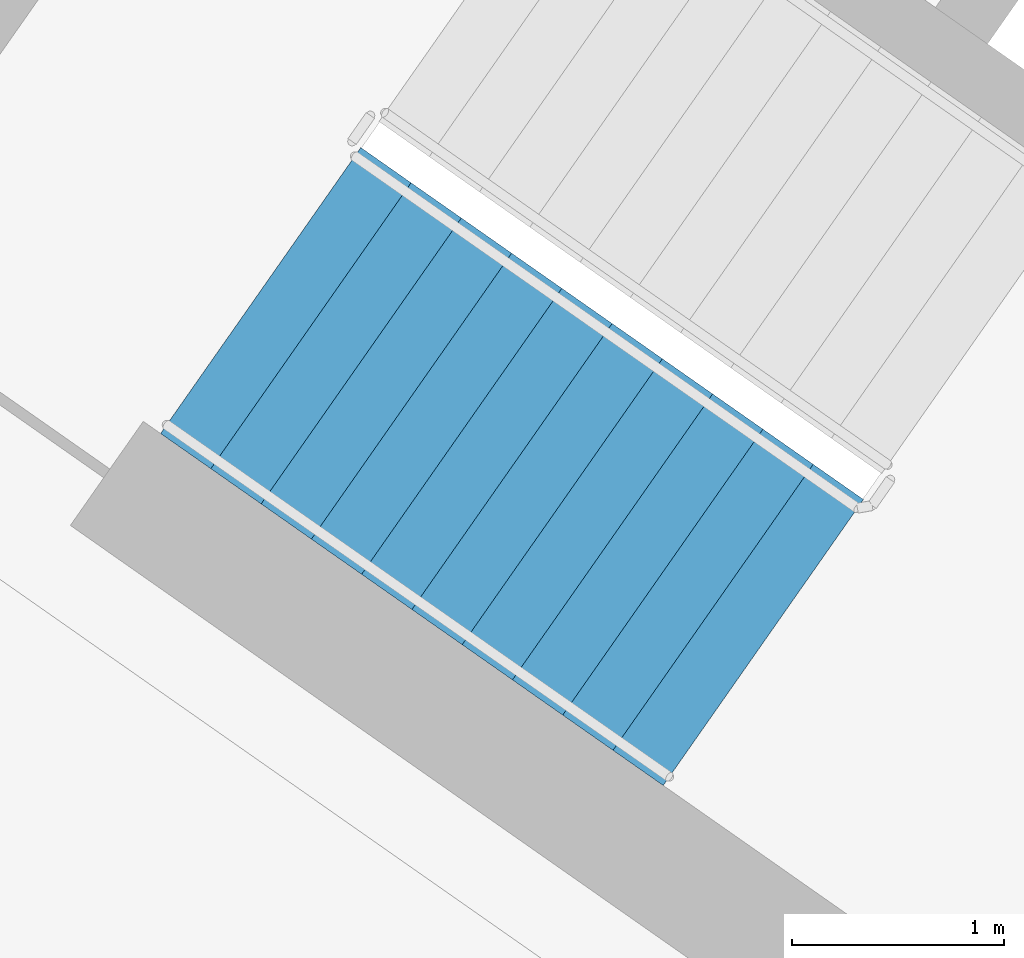
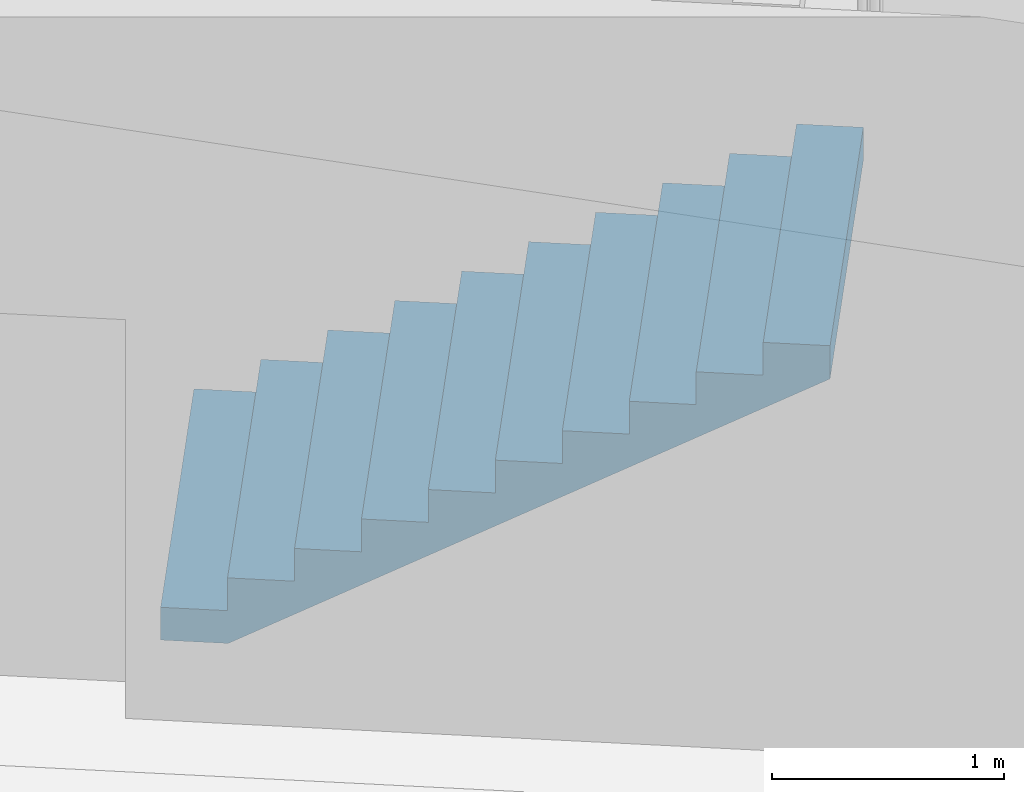
# One storey, part 8 of 30: 1 stair flight, 1 element without a shape of its own.
"""IFC4 building model written with IfcOpenShell, lengths in metres."""

from ifc_helpers import new_model, si_unit, direction, frame, origin, place, context, subcontext, project, spatial, faceted_brep, material, type_object, element, aggregate, save


model = new_model("IFC4")

# Units and contexts
model_context = context("Model", 3, precision=1e-05, world=origin(), true_north=direction((0.0, 1.0)))
body_context = subcontext(model_context, "Body", "Model", "MODEL_VIEW")
ifc_project = project(units=[si_unit("LENGTHUNIT", "METRE"), si_unit("AREAUNIT", "SQUARE_METRE"), si_unit("VOLUMEUNIT", "CUBIC_METRE"), si_unit("PLANEANGLEUNIT", "RADIAN"), si_unit("MASSUNIT", "GRAM", prefix="KILO")], contexts=[model_context])

# Site, building, storey
site_placement = place(None, origin())
site = spatial("IfcSite", under=ifc_project, at=site_placement, CompositionType="ELEMENT")
building_placement = place(site_placement, origin())
building = spatial("IfcBuilding", under=site, at=building_placement, Name="Qamariyya Broadcast Tower", CompositionType="ELEMENT")
storey_placement = place(building_placement, frame((0.0, 0.0, 203.699951171875)))
storey = spatial("IfcBuildingStorey", under=building, at=storey_placement, Name="L48", CompositionType="ELEMENT", Elevation=203.699951171875)

# Stair, stair flight
ifc_material = material(Name="Concrete C50/60", Category="concrete")
stair_type = type_object("IfcStairType", Name="Exit stair 22 risers of 173 mm", PredefinedType="HALF_TURN_STAIR", material=ifc_material)
stair_placement = place(storey_placement, origin())
stair = element("IfcStair", 1, at=stair_placement, inside=storey, type_object=stair_type, Name="L48 Stair W1", PredefinedType="HALF_TURN_STAIR")
stair_flight_type = type_object("IfcStairFlightType", Name="Exit stair flight 11 risers of 173 mm", PredefinedType="STRAIGHT", material=ifc_material)
stair_flight_placement = place(storey_placement, frame((-47.06884765625, -56.982666015625, 0.0), z_axis=(0.0, 0.0, 1.0), x_axis=(0.819152044289, -0.573576436351, 0.0)))
stair_flight = element("IfcStairFlight", 2, at=stair_flight_placement, type_object=stair_flight_type, Name="ST-W1 flight 1", NumberOfRisers=11, NumberOfTreads=10, PredefinedType="STRAIGHT", RiserHeight=0.172727273, TreadLength=0.29, context=body_context, shape_type="Brep", body=[
    faceted_brep([(0.0, 0.824951171875, 0.0), (0.0, 0.824951171875, 0.172607421875), (0.2900390625, 0.824951171875, 0.172607421875), (0.2900390625, 0.824951171875, 0.345458984375), (0.580078125, 0.824951171875, 0.345458984375), (0.580078125, 0.824951171875, 0.51806640625), (0.8701171875, 0.824951171875, 0.51806640625), (0.8701171875, 0.824951171875, 0.69091796875), (1.159912109375, 0.824951171875, 0.69091796875), (1.159912109375, 0.824951171875, 0.863525390625), (1.449951171875, 0.824951171875, 0.863525390625), (1.449951171875, 0.824951171875, 1.036376953125), (1.739990234375, 0.824951171875, 1.036376953125), (1.739990234375, 0.824951171875, 1.208984375), (2.030029296875, 0.824951171875, 1.208984375), (2.030029296875, 0.824951171875, 1.3818359375), (2.320068359375, 0.824951171875, 1.3818359375), (2.320068359375, 0.824951171875, 1.554443359375), (2.610107421875, 0.824951171875, 1.554443359375), (2.610107421875, 0.824951171875, 1.727294921875), (2.89990234375, 0.824951171875, 1.727294921875), (2.89990234375, 0.824951171875, 1.552734375), (0.29296875, 0.824951171875, 0.0), (0.29296875, -0.824951171875, 0.0), (2.89990234375, -0.824951171875, 1.552734375), (2.89990234375, -0.824951171875, 1.727294921875), (2.610107421875, -0.824951171875, 1.727294921875), (2.610107421875, -0.824951171875, 1.554443359375), (2.320068359375, -0.824951171875, 1.554443359375), (2.320068359375, -0.824951171875, 1.3818359375), (2.030029296875, -0.824951171875, 1.3818359375), (2.030029296875, -0.824951171875, 1.208984375), (1.739990234375, -0.824951171875, 1.208984375), (1.739990234375, -0.824951171875, 1.036376953125), (1.449951171875, -0.824951171875, 1.036376953125), (1.449951171875, -0.824951171875, 0.863525390625), (1.159912109375, -0.824951171875, 0.863525390625), (1.159912109375, -0.824951171875, 0.69091796875), (0.8701171875, -0.824951171875, 0.69091796875), (0.8701171875, -0.824951171875, 0.51806640625), (0.580078125, -0.824951171875, 0.51806640625), (0.580078125, -0.824951171875, 0.345458984375), (0.2900390625, -0.824951171875, 0.345458984375), (0.2900390625, -0.824951171875, 0.172607421875), (0.0, -0.824951171875, 0.172607421875), (0.0, -0.824951171875, 0.0), (0.0, 0.10009765625, 0.0), (0.0, 0.086669921875, 0.0), (0.0, 0.0732421875, 0.0), (0.0, 0.06005859375, 0.0), (0.0, 0.046630859375, 0.0), (0.0, 0.033447265625, 0.0), (0.0, 0.02001953125, 0.0), (0.0, 0.006591796875, 0.0), (0.0, -0.006591796875, 0.0), (0.0, -0.02001953125, 0.0), (0.0, -0.033447265625, 0.0), (0.0, -0.046630859375, 0.0), (0.0, -0.06005859375, 0.0), (0.0, -0.0732421875, 0.0), (0.0, -0.086669921875, 0.0), (0.0, -0.10009765625, 0.0), (0.0, -0.10009765625, 0.172607421875), (0.0, -0.086669921875, 0.172607421875), (0.0, -0.0732421875, 0.172607421875), (0.0, -0.06005859375, 0.172607421875), (0.0, -0.046630859375, 0.172607421875), (0.0, -0.033447265625, 0.172607421875), (0.0, -0.02001953125, 0.172607421875), (0.0, -0.006591796875, 0.172607421875), (0.0, 0.006591796875, 0.172607421875), (0.0, 0.02001953125, 0.172607421875), (0.0, 0.033447265625, 0.172607421875), (0.0, 0.046630859375, 0.172607421875), (0.0, 0.06005859375, 0.172607421875), (0.0, 0.0732421875, 0.172607421875), (0.0, 0.086669921875, 0.172607421875), (0.0, 0.10009765625, 0.172607421875), (0.2900390625, -0.10009765625, 0.172607421875), (0.2900390625, -0.086669921875, 0.172607421875), (0.2900390625, -0.0732421875, 0.172607421875), (0.2900390625, -0.06005859375, 0.172607421875), (0.2900390625, -0.046630859375, 0.172607421875), (0.2900390625, -0.033447265625, 0.172607421875), (0.2900390625, -0.02001953125, 0.172607421875), (0.2900390625, -0.006591796875, 0.172607421875), (0.2900390625, 0.006591796875, 0.172607421875), (0.2900390625, 0.02001953125, 0.172607421875), (0.2900390625, 0.033447265625, 0.172607421875), (0.2900390625, 0.046630859375, 0.172607421875), (0.2900390625, 0.06005859375, 0.172607421875), (0.2900390625, 0.0732421875, 0.172607421875), (0.2900390625, 0.086669921875, 0.172607421875), (0.2900390625, 0.10009765625, 0.172607421875), (0.2900390625, -0.10009765625, 0.345458984375), (0.2900390625, -0.086669921875, 0.345458984375), (0.2900390625, -0.0732421875, 0.345458984375), (0.2900390625, -0.06005859375, 0.345458984375), (0.2900390625, -0.046630859375, 0.345458984375), (0.2900390625, -0.033447265625, 0.345458984375), (0.2900390625, -0.02001953125, 0.345458984375), (0.2900390625, -0.006591796875, 0.345458984375), (0.2900390625, 0.006591796875, 0.345458984375), (0.2900390625, 0.02001953125, 0.345458984375), (0.2900390625, 0.033447265625, 0.345458984375), (0.2900390625, 0.046630859375, 0.345458984375), (0.2900390625, 0.06005859375, 0.345458984375), (0.2900390625, 0.0732421875, 0.345458984375), (0.2900390625, 0.086669921875, 0.345458984375), (0.2900390625, 0.10009765625, 0.345458984375), (0.580078125, -0.10009765625, 0.345458984375), (0.580078125, -0.086669921875, 0.345458984375), (0.580078125, -0.0732421875, 0.345458984375), (0.580078125, -0.06005859375, 0.345458984375), (0.580078125, -0.046630859375, 0.345458984375), (0.580078125, -0.033447265625, 0.345458984375), (0.580078125, -0.02001953125, 0.345458984375), (0.580078125, -0.006591796875, 0.345458984375), (0.580078125, 0.006591796875, 0.345458984375), (0.580078125, 0.02001953125, 0.345458984375), (0.580078125, 0.033447265625, 0.345458984375), (0.580078125, 0.046630859375, 0.345458984375), (0.580078125, 0.06005859375, 0.345458984375), (0.580078125, 0.0732421875, 0.345458984375), (0.580078125, 0.086669921875, 0.345458984375), (0.580078125, 0.10009765625, 0.345458984375), (0.580078125, -0.10009765625, 0.51806640625), (0.580078125, -0.086669921875, 0.51806640625), (0.580078125, -0.0732421875, 0.51806640625), (0.580078125, -0.06005859375, 0.51806640625), (0.580078125, -0.046630859375, 0.51806640625), (0.580078125, -0.033447265625, 0.51806640625), (0.580078125, -0.02001953125, 0.51806640625), (0.580078125, -0.006591796875, 0.51806640625), (0.580078125, 0.006591796875, 0.51806640625), (0.580078125, 0.02001953125, 0.51806640625), (0.580078125, 0.033447265625, 0.51806640625), (0.580078125, 0.046630859375, 0.51806640625), (0.580078125, 0.06005859375, 0.51806640625), (0.580078125, 0.0732421875, 0.51806640625), (0.580078125, 0.086669921875, 0.51806640625), (0.580078125, 0.10009765625, 0.51806640625), (0.8701171875, -0.10009765625, 0.51806640625), (0.8701171875, -0.086669921875, 0.51806640625), (0.8701171875, -0.0732421875, 0.51806640625), (0.8701171875, -0.06005859375, 0.51806640625), (0.8701171875, -0.046630859375, 0.51806640625), (0.8701171875, -0.033447265625, 0.51806640625), (0.8701171875, -0.02001953125, 0.51806640625), (0.8701171875, -0.006591796875, 0.51806640625), (0.8701171875, 0.006591796875, 0.51806640625), (0.8701171875, 0.02001953125, 0.51806640625), (0.8701171875, 0.033447265625, 0.51806640625), (0.8701171875, 0.046630859375, 0.51806640625), (0.8701171875, 0.06005859375, 0.51806640625), (0.8701171875, 0.0732421875, 0.51806640625), (0.8701171875, 0.086669921875, 0.51806640625), (0.8701171875, 0.10009765625, 0.51806640625), (0.8701171875, -0.10009765625, 0.69091796875), (0.8701171875, -0.086669921875, 0.69091796875), (0.8701171875, -0.0732421875, 0.69091796875), (0.8701171875, -0.06005859375, 0.69091796875), (0.8701171875, -0.046630859375, 0.69091796875), (0.8701171875, -0.033447265625, 0.69091796875), (0.8701171875, -0.02001953125, 0.69091796875), (0.8701171875, -0.006591796875, 0.69091796875), (0.8701171875, 0.006591796875, 0.69091796875), (0.8701171875, 0.02001953125, 0.69091796875), (0.8701171875, 0.033447265625, 0.69091796875), (0.8701171875, 0.046630859375, 0.69091796875), (0.8701171875, 0.06005859375, 0.69091796875), (0.8701171875, 0.0732421875, 0.69091796875), (0.8701171875, 0.086669921875, 0.69091796875), (0.8701171875, 0.10009765625, 0.69091796875), (1.159912109375, -0.10009765625, 0.69091796875), (1.159912109375, -0.086669921875, 0.69091796875), (1.159912109375, -0.0732421875, 0.69091796875), (1.159912109375, -0.06005859375, 0.69091796875), (1.159912109375, -0.046630859375, 0.69091796875), (1.159912109375, -0.033447265625, 0.69091796875), (1.159912109375, -0.02001953125, 0.69091796875), (1.159912109375, -0.006591796875, 0.69091796875), (1.159912109375, 0.006591796875, 0.69091796875), (1.159912109375, 0.02001953125, 0.69091796875), (1.159912109375, 0.033447265625, 0.69091796875), (1.159912109375, 0.046630859375, 0.69091796875), (1.159912109375, 0.06005859375, 0.69091796875), (1.159912109375, 0.0732421875, 0.69091796875), (1.159912109375, 0.086669921875, 0.69091796875), (1.159912109375, 0.10009765625, 0.69091796875), (1.159912109375, -0.10009765625, 0.863525390625), (1.159912109375, -0.086669921875, 0.863525390625), (1.159912109375, -0.0732421875, 0.863525390625), (1.159912109375, -0.06005859375, 0.863525390625), (1.159912109375, -0.046630859375, 0.863525390625), (1.159912109375, -0.033447265625, 0.863525390625), (1.159912109375, -0.02001953125, 0.863525390625), (1.159912109375, -0.006591796875, 0.863525390625), (1.159912109375, 0.006591796875, 0.863525390625), (1.159912109375, 0.02001953125, 0.863525390625), (1.159912109375, 0.033447265625, 0.863525390625), (1.159912109375, 0.046630859375, 0.863525390625), (1.159912109375, 0.06005859375, 0.863525390625), (1.159912109375, 0.0732421875, 0.863525390625), (1.159912109375, 0.086669921875, 0.863525390625), (1.159912109375, 0.10009765625, 0.863525390625), (1.449951171875, -0.10009765625, 0.863525390625), (1.449951171875, -0.086669921875, 0.863525390625), (1.449951171875, -0.0732421875, 0.863525390625), (1.449951171875, -0.06005859375, 0.863525390625), (1.449951171875, -0.046630859375, 0.863525390625), (1.449951171875, -0.033447265625, 0.863525390625), (1.449951171875, -0.02001953125, 0.863525390625), (1.449951171875, -0.006591796875, 0.863525390625), (1.449951171875, 0.006591796875, 0.863525390625), (1.449951171875, 0.02001953125, 0.863525390625), (1.449951171875, 0.033447265625, 0.863525390625), (1.449951171875, 0.046630859375, 0.863525390625), (1.449951171875, 0.06005859375, 0.863525390625), (1.449951171875, 0.0732421875, 0.863525390625), (1.449951171875, 0.086669921875, 0.863525390625), (1.449951171875, 0.10009765625, 0.863525390625), (1.449951171875, -0.10009765625, 1.036376953125), (1.449951171875, -0.086669921875, 1.036376953125), (1.449951171875, -0.0732421875, 1.036376953125), (1.449951171875, -0.06005859375, 1.036376953125), (1.449951171875, -0.046630859375, 1.036376953125), (1.449951171875, -0.033447265625, 1.036376953125), (1.449951171875, -0.02001953125, 1.036376953125), (1.449951171875, -0.006591796875, 1.036376953125), (1.449951171875, 0.006591796875, 1.036376953125), (1.449951171875, 0.02001953125, 1.036376953125), (1.449951171875, 0.033447265625, 1.036376953125), (1.449951171875, 0.046630859375, 1.036376953125), (1.449951171875, 0.06005859375, 1.036376953125), (1.449951171875, 0.0732421875, 1.036376953125), (1.449951171875, 0.086669921875, 1.036376953125), (1.449951171875, 0.10009765625, 1.036376953125), (1.739990234375, -0.10009765625, 1.036376953125), (1.739990234375, -0.086669921875, 1.036376953125), (1.739990234375, -0.0732421875, 1.036376953125), (1.739990234375, -0.06005859375, 1.036376953125), (1.739990234375, -0.046630859375, 1.036376953125), (1.739990234375, -0.033447265625, 1.036376953125), (1.739990234375, -0.02001953125, 1.036376953125), (1.739990234375, -0.006591796875, 1.036376953125), (1.739990234375, 0.006591796875, 1.036376953125), (1.739990234375, 0.02001953125, 1.036376953125), (1.739990234375, 0.033447265625, 1.036376953125), (1.739990234375, 0.046630859375, 1.036376953125), (1.739990234375, 0.06005859375, 1.036376953125), (1.739990234375, 0.0732421875, 1.036376953125), (1.739990234375, 0.086669921875, 1.036376953125), (1.739990234375, 0.10009765625, 1.036376953125), (1.739990234375, -0.10009765625, 1.208984375), (1.739990234375, -0.086669921875, 1.208984375), (1.739990234375, -0.0732421875, 1.208984375), (1.739990234375, -0.06005859375, 1.208984375), (1.739990234375, -0.046630859375, 1.208984375), (1.739990234375, -0.033447265625, 1.208984375), (1.739990234375, -0.02001953125, 1.208984375), (1.739990234375, -0.006591796875, 1.208984375), (1.739990234375, 0.006591796875, 1.208984375), (1.739990234375, 0.02001953125, 1.208984375), (1.739990234375, 0.033447265625, 1.208984375), (1.739990234375, 0.046630859375, 1.208984375), (1.739990234375, 0.06005859375, 1.208984375), (1.739990234375, 0.0732421875, 1.208984375), (1.739990234375, 0.086669921875, 1.208984375), (1.739990234375, 0.10009765625, 1.208984375), (2.030029296875, -0.10009765625, 1.208984375), (2.030029296875, -0.086669921875, 1.208984375), (2.030029296875, -0.0732421875, 1.208984375), (2.030029296875, -0.06005859375, 1.208984375), (2.030029296875, -0.046630859375, 1.208984375), (2.030029296875, -0.033447265625, 1.208984375), (2.030029296875, -0.02001953125, 1.208984375), (2.030029296875, -0.006591796875, 1.208984375), (2.030029296875, 0.006591796875, 1.208984375), (2.030029296875, 0.02001953125, 1.208984375), (2.030029296875, 0.033447265625, 1.208984375), (2.030029296875, 0.046630859375, 1.208984375), (2.030029296875, 0.06005859375, 1.208984375), (2.030029296875, 0.0732421875, 1.208984375), (2.030029296875, 0.086669921875, 1.208984375), (2.030029296875, 0.10009765625, 1.208984375), (2.030029296875, -0.10009765625, 1.3818359375), (2.030029296875, -0.086669921875, 1.3818359375), (2.030029296875, -0.0732421875, 1.3818359375), (2.030029296875, -0.06005859375, 1.3818359375), (2.030029296875, -0.046630859375, 1.3818359375), (2.030029296875, -0.033447265625, 1.3818359375), (2.030029296875, -0.02001953125, 1.3818359375), (2.030029296875, -0.006591796875, 1.3818359375), (2.030029296875, 0.006591796875, 1.3818359375), (2.030029296875, 0.02001953125, 1.3818359375), (2.030029296875, 0.033447265625, 1.3818359375), (2.030029296875, 0.046630859375, 1.3818359375), (2.030029296875, 0.06005859375, 1.3818359375), (2.030029296875, 0.0732421875, 1.3818359375), (2.030029296875, 0.086669921875, 1.3818359375), (2.030029296875, 0.10009765625, 1.3818359375), (2.320068359375, -0.10009765625, 1.3818359375), (2.320068359375, -0.086669921875, 1.3818359375), (2.320068359375, -0.0732421875, 1.3818359375), (2.320068359375, -0.06005859375, 1.3818359375), (2.320068359375, -0.046630859375, 1.3818359375), (2.320068359375, -0.033447265625, 1.3818359375), (2.320068359375, -0.02001953125, 1.3818359375), (2.320068359375, -0.006591796875, 1.3818359375), (2.320068359375, 0.006591796875, 1.3818359375), (2.320068359375, 0.02001953125, 1.3818359375), (2.320068359375, 0.033447265625, 1.3818359375), (2.320068359375, 0.046630859375, 1.3818359375), (2.320068359375, 0.06005859375, 1.3818359375), (2.320068359375, 0.0732421875, 1.3818359375), (2.320068359375, 0.086669921875, 1.3818359375), (2.320068359375, 0.10009765625, 1.3818359375), (2.320068359375, -0.10009765625, 1.554443359375), (2.320068359375, -0.086669921875, 1.554443359375), (2.320068359375, -0.0732421875, 1.554443359375), (2.320068359375, -0.06005859375, 1.554443359375), (2.320068359375, -0.046630859375, 1.554443359375), (2.320068359375, -0.033447265625, 1.554443359375), (2.320068359375, -0.02001953125, 1.554443359375), (2.320068359375, -0.006591796875, 1.554443359375), (2.320068359375, 0.006591796875, 1.554443359375), (2.320068359375, 0.02001953125, 1.554443359375), (2.320068359375, 0.033447265625, 1.554443359375), (2.320068359375, 0.046630859375, 1.554443359375), (2.320068359375, 0.06005859375, 1.554443359375), (2.320068359375, 0.0732421875, 1.554443359375), (2.320068359375, 0.086669921875, 1.554443359375), (2.320068359375, 0.10009765625, 1.554443359375), (2.610107421875, -0.10009765625, 1.554443359375), (2.610107421875, -0.086669921875, 1.554443359375), (2.610107421875, -0.0732421875, 1.554443359375), (2.610107421875, -0.06005859375, 1.554443359375), (2.610107421875, -0.046630859375, 1.554443359375), (2.610107421875, -0.033447265625, 1.554443359375), (2.610107421875, -0.02001953125, 1.554443359375), (2.610107421875, -0.006591796875, 1.554443359375), (2.610107421875, 0.006591796875, 1.554443359375), (2.610107421875, 0.02001953125, 1.554443359375), (2.610107421875, 0.033447265625, 1.554443359375), (2.610107421875, 0.046630859375, 1.554443359375), (2.610107421875, 0.06005859375, 1.554443359375), (2.610107421875, 0.0732421875, 1.554443359375), (2.610107421875, 0.086669921875, 1.554443359375), (2.610107421875, 0.10009765625, 1.554443359375), (2.610107421875, -0.10009765625, 1.727294921875), (2.610107421875, -0.086669921875, 1.727294921875), (2.610107421875, -0.0732421875, 1.727294921875), (2.610107421875, -0.06005859375, 1.727294921875), (2.610107421875, -0.046630859375, 1.727294921875), (2.610107421875, -0.033447265625, 1.727294921875), (2.610107421875, -0.02001953125, 1.727294921875), (2.610107421875, -0.006591796875, 1.727294921875), (2.610107421875, 0.006591796875, 1.727294921875), (2.610107421875, 0.02001953125, 1.727294921875), (2.610107421875, 0.033447265625, 1.727294921875), (2.610107421875, 0.046630859375, 1.727294921875), (2.610107421875, 0.06005859375, 1.727294921875), (2.610107421875, 0.0732421875, 1.727294921875), (2.610107421875, 0.086669921875, 1.727294921875), (2.610107421875, 0.10009765625, 1.727294921875), (2.89990234375, -0.10009765625, 1.727294921875), (2.89990234375, -0.086669921875, 1.727294921875), (2.89990234375, -0.0732421875, 1.727294921875), (2.89990234375, -0.06005859375, 1.727294921875), (2.89990234375, -0.046630859375, 1.727294921875), (2.89990234375, -0.033447265625, 1.727294921875), (2.89990234375, -0.02001953125, 1.727294921875), (2.89990234375, -0.006591796875, 1.727294921875), (2.89990234375, 0.006591796875, 1.727294921875), (2.89990234375, 0.02001953125, 1.727294921875), (2.89990234375, 0.033447265625, 1.727294921875), (2.89990234375, 0.046630859375, 1.727294921875), (2.89990234375, 0.06005859375, 1.727294921875), (2.89990234375, 0.0732421875, 1.727294921875), (2.89990234375, 0.086669921875, 1.727294921875), (2.89990234375, 0.10009765625, 1.727294921875), (2.89990234375, -0.10009765625, 1.552734375), (2.89990234375, -0.086669921875, 1.552734375), (2.89990234375, -0.0732421875, 1.552734375), (2.89990234375, -0.06005859375, 1.552734375), (2.89990234375, -0.046630859375, 1.552734375), (2.89990234375, -0.033447265625, 1.552734375), (2.89990234375, -0.02001953125, 1.552734375), (2.89990234375, -0.006591796875, 1.552734375), (2.89990234375, 0.006591796875, 1.552734375), (2.89990234375, 0.02001953125, 1.552734375), (2.89990234375, 0.033447265625, 1.552734375), (2.89990234375, 0.046630859375, 1.552734375), (2.89990234375, 0.06005859375, 1.552734375), (2.89990234375, 0.0732421875, 1.552734375), (2.89990234375, 0.086669921875, 1.552734375), (2.89990234375, 0.10009765625, 1.552734375), (0.29296875, -0.10009765625, 0.0), (0.29296875, -0.086669921875, 0.0), (0.29296875, -0.0732421875, 0.0), (0.29296875, -0.06005859375, 0.0), (0.29296875, -0.046630859375, 0.0), (0.29296875, -0.033447265625, 0.0), (0.29296875, -0.02001953125, 0.0), (0.29296875, -0.006591796875, 0.0), (0.29296875, 0.006591796875, 0.0), (0.29296875, 0.02001953125, 0.0), (0.29296875, 0.033447265625, 0.0), (0.29296875, 0.046630859375, 0.0), (0.29296875, 0.06005859375, 0.0), (0.29296875, 0.0732421875, 0.0), (0.29296875, 0.086669921875, 0.0), (0.29296875, 0.10009765625, 0.0)], [[[0, 1, 2, 3, 4, 5, 6, 7, 8, 9, 10, 11, 12, 13, 14, 15, 16, 17, 18, 19, 20, 21, 22]], [[23, 24, 25, 26, 27, 28, 29, 30, 31, 32, 33, 34, 35, 36, 37, 38, 39, 40, 41, 42, 43, 44, 45]], [[0, 46, 47, 48, 49, 50, 51, 52, 53, 54, 55, 56, 57, 58, 59, 60, 61, 45, 44, 62, 63, 64, 65, 66, 67, 68, 69, 70, 71, 72, 73, 74, 75, 76, 77, 1]], [[1, 77, 76, 75, 74, 73, 72, 71, 70, 69, 68, 67, 66, 65, 64, 63, 62, 44, 43, 78, 79, 80, 81, 82, 83, 84, 85, 86, 87, 88, 89, 90, 91, 92, 93, 2]], [[2, 93, 92, 91, 90, 89, 88, 87, 86, 85, 84, 83, 82, 81, 80, 79, 78, 43, 42, 94, 95, 96, 97, 98, 99, 100, 101, 102, 103, 104, 105, 106, 107, 108, 109, 3]], [[3, 109, 108, 107, 106, 105, 104, 103, 102, 101, 100, 99, 98, 97, 96, 95, 94, 42, 41, 110, 111, 112, 113, 114, 115, 116, 117, 118, 119, 120, 121, 122, 123, 124, 125, 4]], [[4, 125, 124, 123, 122, 121, 120, 119, 118, 117, 116, 115, 114, 113, 112, 111, 110, 41, 40, 126, 127, 128, 129, 130, 131, 132, 133, 134, 135, 136, 137, 138, 139, 140, 141, 5]], [[5, 141, 140, 139, 138, 137, 136, 135, 134, 133, 132, 131, 130, 129, 128, 127, 126, 40, 39, 142, 143, 144, 145, 146, 147, 148, 149, 150, 151, 152, 153, 154, 155, 156, 157, 6]], [[6, 157, 156, 155, 154, 153, 152, 151, 150, 149, 148, 147, 146, 145, 144, 143, 142, 39, 38, 158, 159, 160, 161, 162, 163, 164, 165, 166, 167, 168, 169, 170, 171, 172, 173, 7]], [[7, 173, 172, 171, 170, 169, 168, 167, 166, 165, 164, 163, 162, 161, 160, 159, 158, 38, 37, 174, 175, 176, 177, 178, 179, 180, 181, 182, 183, 184, 185, 186, 187, 188, 189, 8]], [[8, 189, 188, 187, 186, 185, 184, 183, 182, 181, 180, 179, 178, 177, 176, 175, 174, 37, 36, 190, 191, 192, 193, 194, 195, 196, 197, 198, 199, 200, 201, 202, 203, 204, 205, 9]], [[9, 205, 204, 203, 202, 201, 200, 199, 198, 197, 196, 195, 194, 193, 192, 191, 190, 36, 35, 206, 207, 208, 209, 210, 211, 212, 213, 214, 215, 216, 217, 218, 219, 220, 221, 10]], [[10, 221, 220, 219, 218, 217, 216, 215, 214, 213, 212, 211, 210, 209, 208, 207, 206, 35, 34, 222, 223, 224, 225, 226, 227, 228, 229, 230, 231, 232, 233, 234, 235, 236, 237, 11]], [[11, 237, 236, 235, 234, 233, 232, 231, 230, 229, 228, 227, 226, 225, 224, 223, 222, 34, 33, 238, 239, 240, 241, 242, 243, 244, 245, 246, 247, 248, 249, 250, 251, 252, 253, 12]], [[12, 253, 252, 251, 250, 249, 248, 247, 246, 245, 244, 243, 242, 241, 240, 239, 238, 33, 32, 254, 255, 256, 257, 258, 259, 260, 261, 262, 263, 264, 265, 266, 267, 268, 269, 13]], [[13, 269, 268, 267, 266, 265, 264, 263, 262, 261, 260, 259, 258, 257, 256, 255, 254, 32, 31, 270, 271, 272, 273, 274, 275, 276, 277, 278, 279, 280, 281, 282, 283, 284, 285, 14]], [[14, 285, 284, 283, 282, 281, 280, 279, 278, 277, 276, 275, 274, 273, 272, 271, 270, 31, 30, 286, 287, 288, 289, 290, 291, 292, 293, 294, 295, 296, 297, 298, 299, 300, 301, 15]], [[15, 301, 300, 299, 298, 297, 296, 295, 294, 293, 292, 291, 290, 289, 288, 287, 286, 30, 29, 302, 303, 304, 305, 306, 307, 308, 309, 310, 311, 312, 313, 314, 315, 316, 317, 16]], [[16, 317, 316, 315, 314, 313, 312, 311, 310, 309, 308, 307, 306, 305, 304, 303, 302, 29, 28, 318, 319, 320, 321, 322, 323, 324, 325, 326, 327, 328, 329, 330, 331, 332, 333, 17]], [[17, 333, 332, 331, 330, 329, 328, 327, 326, 325, 324, 323, 322, 321, 320, 319, 318, 28, 27, 334, 335, 336, 337, 338, 339, 340, 341, 342, 343, 344, 345, 346, 347, 348, 349, 18]], [[18, 349, 348, 347, 346, 345, 344, 343, 342, 341, 340, 339, 338, 337, 336, 335, 334, 27, 26, 350, 351, 352, 353, 354, 355, 356, 357, 358, 359, 360, 361, 362, 363, 364, 365, 19]], [[19, 365, 364, 363, 362, 361, 360, 359, 358, 357, 356, 355, 354, 353, 352, 351, 350, 26, 25, 366, 367, 368, 369, 370, 371, 372, 373, 374, 375, 376, 377, 378, 379, 380, 381, 20]], [[20, 381, 380, 379, 378, 377, 376, 375, 374, 373, 372, 371, 370, 369, 368, 367, 366, 25, 24, 382, 383, 384, 385, 386, 387, 388, 389, 390, 391, 392, 393, 394, 395, 396, 397, 21]], [[21, 397, 396, 395, 394, 393, 392, 391, 390, 389, 388, 387, 386, 385, 384, 383, 382, 24, 23, 398, 399, 400, 401, 402, 403, 404, 405, 406, 407, 408, 409, 410, 411, 412, 413, 22]], [[22, 413, 412, 411, 410, 409, 408, 407, 406, 405, 404, 403, 402, 401, 400, 399, 398, 23, 45, 61, 60, 59, 58, 57, 56, 55, 54, 53, 52, 51, 50, 49, 48, 47, 46, 0]]]),
])
aggregate(stair, [stair_flight])

save(model, "model.ifc")
